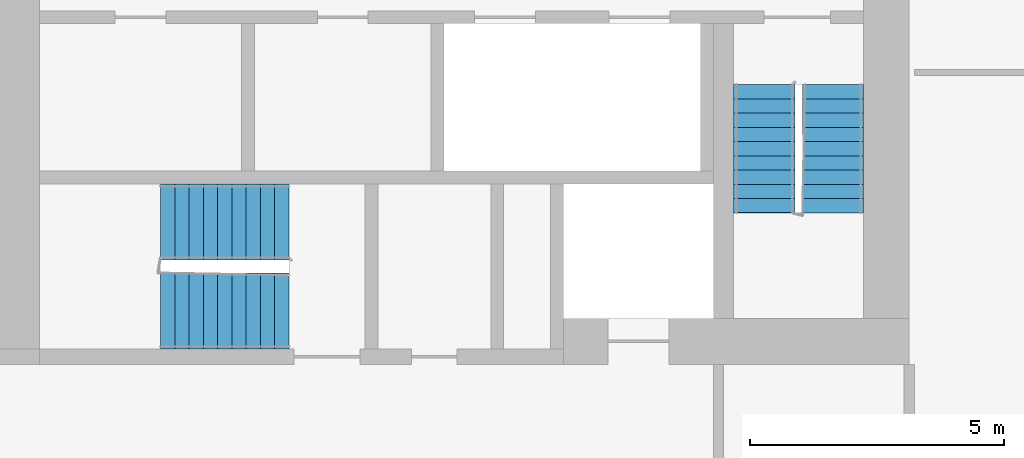
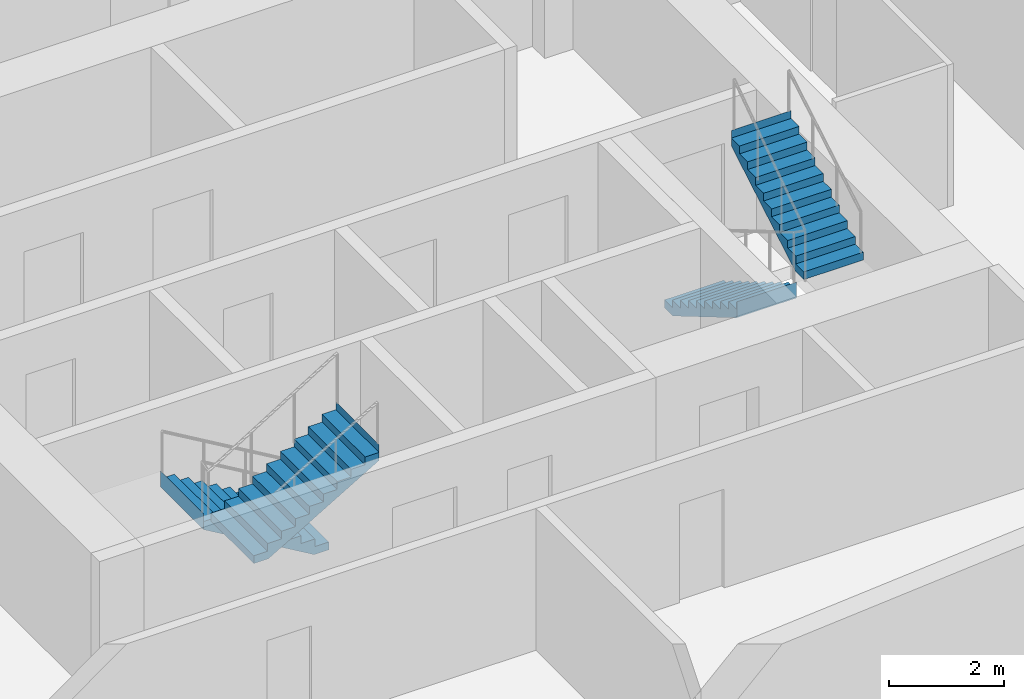
# One storey, part 9 of 12: 4 stair flights, 2 elements without a shape of their own.
"""IFC4 building model written with IfcOpenShell, lengths in metres."""

from ifc_helpers import new_model, si_unit, direction, frame, origin, place, context, subcontext, project, spatial, faceted_brep, material, type_object, element, aggregate, save


model = new_model("IFC4")

# Units and contexts
model_context = context("Model", 3, precision=1e-05, world=origin(), true_north=direction((0.0, 1.0)))
body_context = subcontext(model_context, "Body", "Model", "MODEL_VIEW")
ifc_project = project(units=[si_unit("LENGTHUNIT", "METRE"), si_unit("AREAUNIT", "SQUARE_METRE"), si_unit("VOLUMEUNIT", "CUBIC_METRE"), si_unit("PLANEANGLEUNIT", "RADIAN"), si_unit("MASSUNIT", "GRAM", prefix="KILO")], contexts=[model_context])

# Site, building, storey
site_placement = place(None, origin())
site = spatial("IfcSite", under=ifc_project, at=site_placement, CompositionType="ELEMENT")
building_placement = place(site_placement, origin())
building = spatial("IfcBuilding", under=site, at=building_placement, Name="Kajstack Hotel Tower", CompositionType="ELEMENT")
storey_placement = place(building_placement, frame((0.0, 0.0, 193.300048828125)))
storey = spatial("IfcBuildingStorey", under=building, at=storey_placement, Name="L46", CompositionType="ELEMENT", Elevation=193.300048828125)

# Stair, stair flights
ifc_material = material(Name="Concrete C40/50", Category="concrete")
stair_type_1 = type_object("IfcStairType", Name="Exit stair 1200", PredefinedType="HALF_TURN_STAIR", material=ifc_material)
stair_1_placement = place(storey_placement, origin())
stair_1 = element("IfcStair", 1, at=stair_1_placement, inside=storey, type_object=stair_type_1, Name="L46 stair W2", PredefinedType="HALF_TURN_STAIR")
stair_flight_type_1 = type_object("IfcStairFlightType", Name="Exit stair flight 1200", PredefinedType="STRAIGHT", material=ifc_material)
stair_flight_1_placement = place(storey_placement, frame((-16.35009765625, -10.0, 0.0), z_axis=(0.0, 0.0, 1.0), x_axis=(0.0, -1.0, 0.0)))
stair_flight_1 = element("IfcStairFlight", 2, at=stair_flight_1_placement, type_object=stair_flight_type_1, Name="W2 flight 1", NumberOfRisers=10, NumberOfTreads=9, PredefinedType="STRAIGHT", RiserHeight=0.165, TreadLength=0.28, context=body_context, shape_type="Brep", body=[
    faceted_brep([(0.295654296875, -0.60009765625, 0.0), (2.5205078125, -0.60009765625, 1.31103515625), (2.5205078125, -0.60009765625, 1.64990234375), (2.52001953125, -0.60009765625, 1.64990234375), (2.52001953125, -0.60009765625, 1.485107421875), (2.239990234375, -0.60009765625, 1.485107421875), (2.239990234375, -0.60009765625, 1.320068359375), (1.9599609375, -0.60009765625, 1.320068359375), (1.9599609375, -0.60009765625, 1.155029296875), (1.679931640625, -0.60009765625, 1.155029296875), (1.679931640625, -0.60009765625, 0.989990234375), (1.39990234375, -0.60009765625, 0.989990234375), (1.39990234375, -0.60009765625, 0.824951171875), (1.1201171875, -0.60009765625, 0.824951171875), (1.1201171875, -0.60009765625, 0.659912109375), (0.840087890625, -0.60009765625, 0.659912109375), (0.840087890625, -0.60009765625, 0.4951171875), (0.56005859375, -0.60009765625, 0.4951171875), (0.56005859375, -0.60009765625, 0.330078125), (0.280029296875, -0.60009765625, 0.330078125), (0.280029296875, -0.60009765625, 0.1650390625), (-0.00048828125, -0.60009765625, 0.1650390625), (-0.00048828125, -0.60009765625, 0.0), (-0.00048828125, 0.60009765625, 0.0), (-0.00048828125, 0.60009765625, 0.1650390625), (0.280029296875, 0.60009765625, 0.1650390625), (0.280029296875, 0.60009765625, 0.330078125), (0.56005859375, 0.60009765625, 0.330078125), (0.56005859375, 0.60009765625, 0.4951171875), (0.840087890625, 0.60009765625, 0.4951171875), (0.840087890625, 0.60009765625, 0.659912109375), (1.1201171875, 0.60009765625, 0.659912109375), (1.1201171875, 0.60009765625, 0.824951171875), (1.39990234375, 0.60009765625, 0.824951171875), (1.39990234375, 0.60009765625, 0.989990234375), (1.679931640625, 0.60009765625, 0.989990234375), (1.679931640625, 0.60009765625, 1.155029296875), (1.9599609375, 0.60009765625, 1.155029296875), (1.9599609375, 0.60009765625, 1.320068359375), (2.239990234375, 0.60009765625, 1.320068359375), (2.239990234375, 0.60009765625, 1.485107421875), (2.52001953125, 0.60009765625, 1.485107421875), (2.52001953125, 0.60009765625, 1.64990234375), (2.5205078125, 0.60009765625, 1.64990234375), (2.5205078125, 0.60009765625, 1.31103515625), (0.295654296875, 0.60009765625, 0.0), (-0.00048828125, -0.300048828125, 0.1650390625), (-0.00048828125, 0.0, 0.1650390625), (-0.00048828125, 0.300048828125, 0.1650390625), (-0.00048828125, 0.300048828125, 0.0), (-0.00048828125, 0.0, 0.0), (-0.00048828125, -0.300048828125, 0.0), (0.280029296875, -0.300048828125, 0.1650390625), (0.280029296875, 0.0, 0.1650390625), (0.280029296875, 0.300048828125, 0.1650390625), (0.280029296875, -0.300048828125, 0.330078125), (0.280029296875, 0.0, 0.330078125), (0.280029296875, 0.300048828125, 0.330078125), (0.56005859375, -0.300048828125, 0.330078125), (0.56005859375, 0.0, 0.330078125), (0.56005859375, 0.300048828125, 0.330078125), (0.56005859375, -0.300048828125, 0.4951171875), (0.56005859375, 0.0, 0.4951171875), (0.56005859375, 0.300048828125, 0.4951171875), (0.840087890625, -0.300048828125, 0.4951171875), (0.840087890625, 0.0, 0.4951171875), (0.840087890625, 0.300048828125, 0.4951171875), (0.840087890625, -0.300048828125, 0.659912109375), (0.840087890625, 0.0, 0.659912109375), (0.840087890625, 0.300048828125, 0.659912109375), (1.1201171875, -0.300048828125, 0.659912109375), (1.1201171875, 0.0, 0.659912109375), (1.1201171875, 0.300048828125, 0.659912109375), (1.1201171875, -0.300048828125, 0.824951171875), (1.1201171875, 0.0, 0.824951171875), (1.1201171875, 0.300048828125, 0.824951171875), (1.39990234375, -0.300048828125, 0.824951171875), (1.39990234375, 0.0, 0.824951171875), (1.39990234375, 0.300048828125, 0.824951171875), (1.39990234375, -0.300048828125, 0.989990234375), (1.39990234375, 0.0, 0.989990234375), (1.39990234375, 0.300048828125, 0.989990234375), (1.679931640625, -0.300048828125, 0.989990234375), (1.679931640625, 0.0, 0.989990234375), (1.679931640625, 0.300048828125, 0.989990234375), (1.679931640625, -0.300048828125, 1.155029296875), (1.679931640625, 0.0, 1.155029296875), (1.679931640625, 0.300048828125, 1.155029296875), (1.9599609375, -0.300048828125, 1.155029296875), (1.9599609375, 0.0, 1.155029296875), (1.9599609375, 0.300048828125, 1.155029296875), (1.9599609375, -0.300048828125, 1.320068359375), (1.9599609375, 0.0, 1.320068359375), (1.9599609375, 0.300048828125, 1.320068359375), (2.239990234375, -0.300048828125, 1.320068359375), (2.239990234375, 0.0, 1.320068359375), (2.239990234375, 0.300048828125, 1.320068359375), (2.239990234375, -0.300048828125, 1.485107421875), (2.239990234375, 0.0, 1.485107421875), (2.239990234375, 0.300048828125, 1.485107421875), (2.52001953125, -0.300048828125, 1.485107421875), (2.52001953125, 0.0, 1.485107421875), (2.52001953125, 0.300048828125, 1.485107421875), (2.52001953125, -0.300048828125, 1.64990234375), (2.52001953125, 0.0, 1.64990234375), (2.52001953125, 0.300048828125, 1.64990234375), (2.5205078125, -0.300048828125, 1.64990234375), (2.5205078125, 0.0, 1.64990234375), (2.5205078125, 0.300048828125, 1.64990234375), (2.5205078125, -0.300048828125, 1.31103515625), (2.5205078125, 0.0, 1.31103515625), (2.5205078125, 0.300048828125, 1.31103515625), (0.295654296875, -0.300048828125, 0.0), (0.295654296875, 0.0, 0.0), (0.295654296875, 0.300048828125, 0.0)], [[[0, 1, 2, 3, 4, 5, 6, 7, 8, 9, 10, 11, 12, 13, 14, 15, 16, 17, 18, 19, 20, 21, 22]], [[23, 24, 25, 26, 27, 28, 29, 30, 31, 32, 33, 34, 35, 36, 37, 38, 39, 40, 41, 42, 43, 44, 45]], [[21, 46, 47, 48, 24, 23, 49, 50, 51, 22]], [[20, 52, 53, 54, 25, 24, 48, 47, 46, 21]], [[19, 55, 56, 57, 26, 25, 54, 53, 52, 20]], [[18, 58, 59, 60, 27, 26, 57, 56, 55, 19]], [[17, 61, 62, 63, 28, 27, 60, 59, 58, 18]], [[16, 64, 65, 66, 29, 28, 63, 62, 61, 17]], [[15, 67, 68, 69, 30, 29, 66, 65, 64, 16]], [[14, 70, 71, 72, 31, 30, 69, 68, 67, 15]], [[13, 73, 74, 75, 32, 31, 72, 71, 70, 14]], [[12, 76, 77, 78, 33, 32, 75, 74, 73, 13]], [[11, 79, 80, 81, 34, 33, 78, 77, 76, 12]], [[10, 82, 83, 84, 35, 34, 81, 80, 79, 11]], [[9, 85, 86, 87, 36, 35, 84, 83, 82, 10]], [[8, 88, 89, 90, 37, 36, 87, 86, 85, 9]], [[7, 91, 92, 93, 38, 37, 90, 89, 88, 8]], [[6, 94, 95, 96, 39, 38, 93, 92, 91, 7]], [[5, 97, 98, 99, 40, 39, 96, 95, 94, 6]], [[4, 100, 101, 102, 41, 40, 99, 98, 97, 5]], [[3, 103, 104, 105, 42, 41, 102, 101, 100, 4]], [[2, 106, 107, 108, 43, 42, 105, 104, 103, 3]], [[1, 109, 110, 111, 44, 43, 108, 107, 106, 2]], [[0, 112, 113, 114, 45, 44, 111, 110, 109, 1]], [[22, 51, 50, 49, 23, 45, 114, 113, 112, 0]]]),
])
stair_flight_2_placement = place(storey_placement, frame((-15.0, -12.52001953125, 1.64990234375), z_axis=(0.0, 0.0, 1.0), x_axis=(0.0, 1.0, 0.0)))
stair_flight_2 = element("IfcStairFlight", 3, at=stair_flight_2_placement, type_object=stair_flight_type_1, Name="W2 flight 2", NumberOfRisers=10, NumberOfTreads=9, PredefinedType="STRAIGHT", RiserHeight=0.165, TreadLength=0.28, context=body_context, shape_type="Brep", body=[
    faceted_brep([(0.295654296875, -0.60009765625, 0.0), (2.5205078125, -0.60009765625, 1.31103515625), (2.5205078125, -0.60009765625, 1.64990234375), (2.52001953125, -0.60009765625, 1.64990234375), (2.52001953125, -0.60009765625, 1.485107421875), (2.239990234375, -0.60009765625, 1.485107421875), (2.239990234375, -0.60009765625, 1.320068359375), (1.9599609375, -0.60009765625, 1.320068359375), (1.9599609375, -0.60009765625, 1.155029296875), (1.679931640625, -0.60009765625, 1.155029296875), (1.679931640625, -0.60009765625, 0.989990234375), (1.39990234375, -0.60009765625, 0.989990234375), (1.39990234375, -0.60009765625, 0.824951171875), (1.1201171875, -0.60009765625, 0.824951171875), (1.1201171875, -0.60009765625, 0.659912109375), (0.840087890625, -0.60009765625, 0.659912109375), (0.840087890625, -0.60009765625, 0.4951171875), (0.56005859375, -0.60009765625, 0.4951171875), (0.56005859375, -0.60009765625, 0.330078125), (0.280029296875, -0.60009765625, 0.330078125), (0.280029296875, -0.60009765625, 0.1650390625), (-0.00048828125, -0.60009765625, 0.1650390625), (-0.00048828125, -0.60009765625, 0.0), (-0.00048828125, 0.60009765625, 0.0), (-0.00048828125, 0.60009765625, 0.1650390625), (0.280029296875, 0.60009765625, 0.1650390625), (0.280029296875, 0.60009765625, 0.330078125), (0.56005859375, 0.60009765625, 0.330078125), (0.56005859375, 0.60009765625, 0.4951171875), (0.840087890625, 0.60009765625, 0.4951171875), (0.840087890625, 0.60009765625, 0.659912109375), (1.1201171875, 0.60009765625, 0.659912109375), (1.1201171875, 0.60009765625, 0.824951171875), (1.39990234375, 0.60009765625, 0.824951171875), (1.39990234375, 0.60009765625, 0.989990234375), (1.679931640625, 0.60009765625, 0.989990234375), (1.679931640625, 0.60009765625, 1.155029296875), (1.9599609375, 0.60009765625, 1.155029296875), (1.9599609375, 0.60009765625, 1.320068359375), (2.239990234375, 0.60009765625, 1.320068359375), (2.239990234375, 0.60009765625, 1.485107421875), (2.52001953125, 0.60009765625, 1.485107421875), (2.52001953125, 0.60009765625, 1.64990234375), (2.5205078125, 0.60009765625, 1.64990234375), (2.5205078125, 0.60009765625, 1.31103515625), (0.295654296875, 0.60009765625, 0.0), (-0.00048828125, -0.300048828125, 0.1650390625), (-0.00048828125, 0.0, 0.1650390625), (-0.00048828125, 0.300048828125, 0.1650390625), (-0.00048828125, 0.300048828125, 0.0), (-0.00048828125, 0.0, 0.0), (-0.00048828125, -0.300048828125, 0.0), (0.280029296875, -0.300048828125, 0.1650390625), (0.280029296875, 0.0, 0.1650390625), (0.280029296875, 0.300048828125, 0.1650390625), (0.280029296875, -0.300048828125, 0.330078125), (0.280029296875, 0.0, 0.330078125), (0.280029296875, 0.300048828125, 0.330078125), (0.56005859375, -0.300048828125, 0.330078125), (0.56005859375, 0.0, 0.330078125), (0.56005859375, 0.300048828125, 0.330078125), (0.56005859375, -0.300048828125, 0.4951171875), (0.56005859375, 0.0, 0.4951171875), (0.56005859375, 0.300048828125, 0.4951171875), (0.840087890625, -0.300048828125, 0.4951171875), (0.840087890625, 0.0, 0.4951171875), (0.840087890625, 0.300048828125, 0.4951171875), (0.840087890625, -0.300048828125, 0.659912109375), (0.840087890625, 0.0, 0.659912109375), (0.840087890625, 0.300048828125, 0.659912109375), (1.1201171875, -0.300048828125, 0.659912109375), (1.1201171875, 0.0, 0.659912109375), (1.1201171875, 0.300048828125, 0.659912109375), (1.1201171875, -0.300048828125, 0.824951171875), (1.1201171875, 0.0, 0.824951171875), (1.1201171875, 0.300048828125, 0.824951171875), (1.39990234375, -0.300048828125, 0.824951171875), (1.39990234375, 0.0, 0.824951171875), (1.39990234375, 0.300048828125, 0.824951171875), (1.39990234375, -0.300048828125, 0.989990234375), (1.39990234375, 0.0, 0.989990234375), (1.39990234375, 0.300048828125, 0.989990234375), (1.679931640625, -0.300048828125, 0.989990234375), (1.679931640625, 0.0, 0.989990234375), (1.679931640625, 0.300048828125, 0.989990234375), (1.679931640625, -0.300048828125, 1.155029296875), (1.679931640625, 0.0, 1.155029296875), (1.679931640625, 0.300048828125, 1.155029296875), (1.9599609375, -0.300048828125, 1.155029296875), (1.9599609375, 0.0, 1.155029296875), (1.9599609375, 0.300048828125, 1.155029296875), (1.9599609375, -0.300048828125, 1.320068359375), (1.9599609375, 0.0, 1.320068359375), (1.9599609375, 0.300048828125, 1.320068359375), (2.239990234375, -0.300048828125, 1.320068359375), (2.239990234375, 0.0, 1.320068359375), (2.239990234375, 0.300048828125, 1.320068359375), (2.239990234375, -0.300048828125, 1.485107421875), (2.239990234375, 0.0, 1.485107421875), (2.239990234375, 0.300048828125, 1.485107421875), (2.52001953125, -0.300048828125, 1.485107421875), (2.52001953125, 0.0, 1.485107421875), (2.52001953125, 0.300048828125, 1.485107421875), (2.52001953125, -0.300048828125, 1.64990234375), (2.52001953125, 0.0, 1.64990234375), (2.52001953125, 0.300048828125, 1.64990234375), (2.5205078125, -0.300048828125, 1.64990234375), (2.5205078125, 0.0, 1.64990234375), (2.5205078125, 0.300048828125, 1.64990234375), (2.5205078125, -0.300048828125, 1.31103515625), (2.5205078125, 0.0, 1.31103515625), (2.5205078125, 0.300048828125, 1.31103515625), (0.295654296875, -0.300048828125, 0.0), (0.295654296875, 0.0, 0.0), (0.295654296875, 0.300048828125, 0.0)], [[[0, 1, 2, 3, 4, 5, 6, 7, 8, 9, 10, 11, 12, 13, 14, 15, 16, 17, 18, 19, 20, 21, 22]], [[23, 24, 25, 26, 27, 28, 29, 30, 31, 32, 33, 34, 35, 36, 37, 38, 39, 40, 41, 42, 43, 44, 45]], [[21, 46, 47, 48, 24, 23, 49, 50, 51, 22]], [[20, 52, 53, 54, 25, 24, 48, 47, 46, 21]], [[19, 55, 56, 57, 26, 25, 54, 53, 52, 20]], [[18, 58, 59, 60, 27, 26, 57, 56, 55, 19]], [[17, 61, 62, 63, 28, 27, 60, 59, 58, 18]], [[16, 64, 65, 66, 29, 28, 63, 62, 61, 17]], [[15, 67, 68, 69, 30, 29, 66, 65, 64, 16]], [[14, 70, 71, 72, 31, 30, 69, 68, 67, 15]], [[13, 73, 74, 75, 32, 31, 72, 71, 70, 14]], [[12, 76, 77, 78, 33, 32, 75, 74, 73, 13]], [[11, 79, 80, 81, 34, 33, 78, 77, 76, 12]], [[10, 82, 83, 84, 35, 34, 81, 80, 79, 11]], [[9, 85, 86, 87, 36, 35, 84, 83, 82, 10]], [[8, 88, 89, 90, 37, 36, 87, 86, 85, 9]], [[7, 91, 92, 93, 38, 37, 90, 89, 88, 8]], [[6, 94, 95, 96, 39, 38, 93, 92, 91, 7]], [[5, 97, 98, 99, 40, 39, 96, 95, 94, 6]], [[4, 100, 101, 102, 41, 40, 99, 98, 97, 5]], [[3, 103, 104, 105, 42, 41, 102, 101, 100, 4]], [[2, 106, 107, 108, 43, 42, 105, 104, 103, 3]], [[1, 109, 110, 111, 44, 43, 108, 107, 106, 2]], [[0, 112, 113, 114, 45, 44, 111, 110, 109, 1]], [[22, 51, 50, 49, 23, 45, 114, 113, 112, 0]]]),
])
aggregate(stair_1, [stair_flight_1, stair_flight_2])

stair_type_2 = type_object("IfcStairType", Name="Exit stair 1500", PredefinedType="HALF_TURN_STAIR", material=ifc_material)
stair_2_placement = place(storey_placement, origin())
stair_2 = element("IfcStair", 4, at=stair_2_placement, inside=storey, type_object=stair_type_2, Name="L46 stair W3", PredefinedType="HALF_TURN_STAIR")
stair_flight_type_2 = type_object("IfcStairFlightType", Name="Exit stair flight 1500", PredefinedType="STRAIGHT", material=ifc_material)
stair_flight_3_placement = place(storey_placement, frame((-25.699951171875, -12.699951171875, 0.0), z_axis=(0.0, 0.0, 1.0), x_axis=(-1.0, 0.0, 0.0)))
stair_flight_3 = element("IfcStairFlight", 5, at=stair_flight_3_placement, type_object=stair_flight_type_2, Name="W3 flight 1", NumberOfRisers=10, NumberOfTreads=9, PredefinedType="STRAIGHT", RiserHeight=0.165, TreadLength=0.28, context=body_context, shape_type="Brep", body=[
    faceted_brep([(0.295654296875, -0.75, 0.0), (2.5205078125, -0.75, 1.31103515625), (2.5205078125, -0.75, 1.64990234375), (2.52001953125, -0.75, 1.64990234375), (2.52001953125, -0.75, 1.485107421875), (2.239990234375, -0.75, 1.485107421875), (2.239990234375, -0.75, 1.320068359375), (1.9599609375, -0.75, 1.320068359375), (1.9599609375, -0.75, 1.155029296875), (1.679931640625, -0.75, 1.155029296875), (1.679931640625, -0.75, 0.989990234375), (1.39990234375, -0.75, 0.989990234375), (1.39990234375, -0.75, 0.824951171875), (1.1201171875, -0.75, 0.824951171875), (1.1201171875, -0.75, 0.659912109375), (0.840087890625, -0.75, 0.659912109375), (0.840087890625, -0.75, 0.4951171875), (0.56005859375, -0.75, 0.4951171875), (0.56005859375, -0.75, 0.330078125), (0.280029296875, -0.75, 0.330078125), (0.280029296875, -0.75, 0.1650390625), (-0.00048828125, -0.75, 0.1650390625), (-0.00048828125, -0.75, 0.0), (-0.00048828125, 0.75, 0.0), (-0.00048828125, 0.75, 0.1650390625), (0.280029296875, 0.75, 0.1650390625), (0.280029296875, 0.75, 0.330078125), (0.56005859375, 0.75, 0.330078125), (0.56005859375, 0.75, 0.4951171875), (0.840087890625, 0.75, 0.4951171875), (0.840087890625, 0.75, 0.659912109375), (1.1201171875, 0.75, 0.659912109375), (1.1201171875, 0.75, 0.824951171875), (1.39990234375, 0.75, 0.824951171875), (1.39990234375, 0.75, 0.989990234375), (1.679931640625, 0.75, 0.989990234375), (1.679931640625, 0.75, 1.155029296875), (1.9599609375, 0.75, 1.155029296875), (1.9599609375, 0.75, 1.320068359375), (2.239990234375, 0.75, 1.320068359375), (2.239990234375, 0.75, 1.485107421875), (2.52001953125, 0.75, 1.485107421875), (2.52001953125, 0.75, 1.64990234375), (2.5205078125, 0.75, 1.64990234375), (2.5205078125, 0.75, 1.31103515625), (0.295654296875, 0.75, 0.0), (-0.00048828125, -0.375, 0.1650390625), (-0.00048828125, 0.0, 0.1650390625), (-0.00048828125, 0.375, 0.1650390625), (-0.00048828125, 0.375, 0.0), (-0.00048828125, 0.0, 0.0), (-0.00048828125, -0.375, 0.0), (0.280029296875, -0.375, 0.1650390625), (0.280029296875, 0.0, 0.1650390625), (0.280029296875, 0.375, 0.1650390625), (0.280029296875, -0.375, 0.330078125), (0.280029296875, 0.0, 0.330078125), (0.280029296875, 0.375, 0.330078125), (0.56005859375, -0.375, 0.330078125), (0.56005859375, 0.0, 0.330078125), (0.56005859375, 0.375, 0.330078125), (0.56005859375, -0.375, 0.4951171875), (0.56005859375, 0.0, 0.4951171875), (0.56005859375, 0.375, 0.4951171875), (0.840087890625, -0.375, 0.4951171875), (0.840087890625, 0.0, 0.4951171875), (0.840087890625, 0.375, 0.4951171875), (0.840087890625, -0.375, 0.659912109375), (0.840087890625, 0.0, 0.659912109375), (0.840087890625, 0.375, 0.659912109375), (1.1201171875, -0.375, 0.659912109375), (1.1201171875, 0.0, 0.659912109375), (1.1201171875, 0.375, 0.659912109375), (1.1201171875, -0.375, 0.824951171875), (1.1201171875, 0.0, 0.824951171875), (1.1201171875, 0.375, 0.824951171875), (1.39990234375, -0.375, 0.824951171875), (1.39990234375, 0.0, 0.824951171875), (1.39990234375, 0.375, 0.824951171875), (1.39990234375, -0.375, 0.989990234375), (1.39990234375, 0.0, 0.989990234375), (1.39990234375, 0.375, 0.989990234375), (1.679931640625, -0.375, 0.989990234375), (1.679931640625, 0.0, 0.989990234375), (1.679931640625, 0.375, 0.989990234375), (1.679931640625, -0.375, 1.155029296875), (1.679931640625, 0.0, 1.155029296875), (1.679931640625, 0.375, 1.155029296875), (1.9599609375, -0.375, 1.155029296875), (1.9599609375, 0.0, 1.155029296875), (1.9599609375, 0.375, 1.155029296875), (1.9599609375, -0.375, 1.320068359375), (1.9599609375, 0.0, 1.320068359375), (1.9599609375, 0.375, 1.320068359375), (2.239990234375, -0.375, 1.320068359375), (2.239990234375, 0.0, 1.320068359375), (2.239990234375, 0.375, 1.320068359375), (2.239990234375, -0.375, 1.485107421875), (2.239990234375, 0.0, 1.485107421875), (2.239990234375, 0.375, 1.485107421875), (2.52001953125, -0.375, 1.485107421875), (2.52001953125, 0.0, 1.485107421875), (2.52001953125, 0.375, 1.485107421875), (2.52001953125, -0.375, 1.64990234375), (2.52001953125, 0.0, 1.64990234375), (2.52001953125, 0.375, 1.64990234375), (2.5205078125, -0.375, 1.64990234375), (2.5205078125, 0.0, 1.64990234375), (2.5205078125, 0.375, 1.64990234375), (2.5205078125, -0.375, 1.31103515625), (2.5205078125, 0.0, 1.31103515625), (2.5205078125, 0.375, 1.31103515625), (0.295654296875, -0.375, 0.0), (0.295654296875, 0.0, 0.0), (0.295654296875, 0.375, 0.0)], [[[0, 1, 2, 3, 4, 5, 6, 7, 8, 9, 10, 11, 12, 13, 14, 15, 16, 17, 18, 19, 20, 21, 22]], [[23, 24, 25, 26, 27, 28, 29, 30, 31, 32, 33, 34, 35, 36, 37, 38, 39, 40, 41, 42, 43, 44, 45]], [[21, 46, 47, 48, 24, 23, 49, 50, 51, 22]], [[20, 52, 53, 54, 25, 24, 48, 47, 46, 21]], [[19, 55, 56, 57, 26, 25, 54, 53, 52, 20]], [[18, 58, 59, 60, 27, 26, 57, 56, 55, 19]], [[17, 61, 62, 63, 28, 27, 60, 59, 58, 18]], [[16, 64, 65, 66, 29, 28, 63, 62, 61, 17]], [[15, 67, 68, 69, 30, 29, 66, 65, 64, 16]], [[14, 70, 71, 72, 31, 30, 69, 68, 67, 15]], [[13, 73, 74, 75, 32, 31, 72, 71, 70, 14]], [[12, 76, 77, 78, 33, 32, 75, 74, 73, 13]], [[11, 79, 80, 81, 34, 33, 78, 77, 76, 12]], [[10, 82, 83, 84, 35, 34, 81, 80, 79, 11]], [[9, 85, 86, 87, 36, 35, 84, 83, 82, 10]], [[8, 88, 89, 90, 37, 36, 87, 86, 85, 9]], [[7, 91, 92, 93, 38, 37, 90, 89, 88, 8]], [[6, 94, 95, 96, 39, 38, 93, 92, 91, 7]], [[5, 97, 98, 99, 40, 39, 96, 95, 94, 6]], [[4, 100, 101, 102, 41, 40, 99, 98, 97, 5]], [[3, 103, 104, 105, 42, 41, 102, 101, 100, 4]], [[2, 106, 107, 108, 43, 42, 105, 104, 103, 3]], [[1, 109, 110, 111, 44, 43, 108, 107, 106, 2]], [[0, 112, 113, 114, 45, 44, 111, 110, 109, 1]], [[22, 51, 50, 49, 23, 45, 114, 113, 112, 0]]]),
])
stair_flight_4_placement = place(storey_placement, frame((-28.219970703125, -14.449951171875, 1.64990234375), z_axis=(0.0, 0.0, 1.0), x_axis=(1.0, 0.0, 0.0)))
stair_flight_4 = element("IfcStairFlight", 6, at=stair_flight_4_placement, type_object=stair_flight_type_2, Name="W3 flight 2", NumberOfRisers=10, NumberOfTreads=9, PredefinedType="STRAIGHT", RiserHeight=0.165, TreadLength=0.28, context=body_context, shape_type="Brep", body=[
    faceted_brep([(0.295654296875, -0.75, 0.0), (2.5205078125, -0.75, 1.31103515625), (2.5205078125, -0.75, 1.64990234375), (2.52001953125, -0.75, 1.64990234375), (2.52001953125, -0.75, 1.485107421875), (2.239990234375, -0.75, 1.485107421875), (2.239990234375, -0.75, 1.320068359375), (1.9599609375, -0.75, 1.320068359375), (1.9599609375, -0.75, 1.155029296875), (1.679931640625, -0.75, 1.155029296875), (1.679931640625, -0.75, 0.989990234375), (1.39990234375, -0.75, 0.989990234375), (1.39990234375, -0.75, 0.824951171875), (1.1201171875, -0.75, 0.824951171875), (1.1201171875, -0.75, 0.659912109375), (0.840087890625, -0.75, 0.659912109375), (0.840087890625, -0.75, 0.4951171875), (0.56005859375, -0.75, 0.4951171875), (0.56005859375, -0.75, 0.330078125), (0.280029296875, -0.75, 0.330078125), (0.280029296875, -0.75, 0.1650390625), (-0.00048828125, -0.75, 0.1650390625), (-0.00048828125, -0.75, 0.0), (-0.00048828125, 0.75, 0.0), (-0.00048828125, 0.75, 0.1650390625), (0.280029296875, 0.75, 0.1650390625), (0.280029296875, 0.75, 0.330078125), (0.56005859375, 0.75, 0.330078125), (0.56005859375, 0.75, 0.4951171875), (0.840087890625, 0.75, 0.4951171875), (0.840087890625, 0.75, 0.659912109375), (1.1201171875, 0.75, 0.659912109375), (1.1201171875, 0.75, 0.824951171875), (1.39990234375, 0.75, 0.824951171875), (1.39990234375, 0.75, 0.989990234375), (1.679931640625, 0.75, 0.989990234375), (1.679931640625, 0.75, 1.155029296875), (1.9599609375, 0.75, 1.155029296875), (1.9599609375, 0.75, 1.320068359375), (2.239990234375, 0.75, 1.320068359375), (2.239990234375, 0.75, 1.485107421875), (2.52001953125, 0.75, 1.485107421875), (2.52001953125, 0.75, 1.64990234375), (2.5205078125, 0.75, 1.64990234375), (2.5205078125, 0.75, 1.31103515625), (0.295654296875, 0.75, 0.0), (-0.00048828125, -0.375, 0.1650390625), (-0.00048828125, 0.0, 0.1650390625), (-0.00048828125, 0.375, 0.1650390625), (-0.00048828125, 0.375, 0.0), (-0.00048828125, 0.0, 0.0), (-0.00048828125, -0.375, 0.0), (0.280029296875, -0.375, 0.1650390625), (0.280029296875, 0.0, 0.1650390625), (0.280029296875, 0.375, 0.1650390625), (0.280029296875, -0.375, 0.330078125), (0.280029296875, 0.0, 0.330078125), (0.280029296875, 0.375, 0.330078125), (0.56005859375, -0.375, 0.330078125), (0.56005859375, 0.0, 0.330078125), (0.56005859375, 0.375, 0.330078125), (0.56005859375, -0.375, 0.4951171875), (0.56005859375, 0.0, 0.4951171875), (0.56005859375, 0.375, 0.4951171875), (0.840087890625, -0.375, 0.4951171875), (0.840087890625, 0.0, 0.4951171875), (0.840087890625, 0.375, 0.4951171875), (0.840087890625, -0.375, 0.659912109375), (0.840087890625, 0.0, 0.659912109375), (0.840087890625, 0.375, 0.659912109375), (1.1201171875, -0.375, 0.659912109375), (1.1201171875, 0.0, 0.659912109375), (1.1201171875, 0.375, 0.659912109375), (1.1201171875, -0.375, 0.824951171875), (1.1201171875, 0.0, 0.824951171875), (1.1201171875, 0.375, 0.824951171875), (1.39990234375, -0.375, 0.824951171875), (1.39990234375, 0.0, 0.824951171875), (1.39990234375, 0.375, 0.824951171875), (1.39990234375, -0.375, 0.989990234375), (1.39990234375, 0.0, 0.989990234375), (1.39990234375, 0.375, 0.989990234375), (1.679931640625, -0.375, 0.989990234375), (1.679931640625, 0.0, 0.989990234375), (1.679931640625, 0.375, 0.989990234375), (1.679931640625, -0.375, 1.155029296875), (1.679931640625, 0.0, 1.155029296875), (1.679931640625, 0.375, 1.155029296875), (1.9599609375, -0.375, 1.155029296875), (1.9599609375, 0.0, 1.155029296875), (1.9599609375, 0.375, 1.155029296875), (1.9599609375, -0.375, 1.320068359375), (1.9599609375, 0.0, 1.320068359375), (1.9599609375, 0.375, 1.320068359375), (2.239990234375, -0.375, 1.320068359375), (2.239990234375, 0.0, 1.320068359375), (2.239990234375, 0.375, 1.320068359375), (2.239990234375, -0.375, 1.485107421875), (2.239990234375, 0.0, 1.485107421875), (2.239990234375, 0.375, 1.485107421875), (2.52001953125, -0.375, 1.485107421875), (2.52001953125, 0.0, 1.485107421875), (2.52001953125, 0.375, 1.485107421875), (2.52001953125, -0.375, 1.64990234375), (2.52001953125, 0.0, 1.64990234375), (2.52001953125, 0.375, 1.64990234375), (2.5205078125, -0.375, 1.64990234375), (2.5205078125, 0.0, 1.64990234375), (2.5205078125, 0.375, 1.64990234375), (2.5205078125, -0.375, 1.31103515625), (2.5205078125, 0.0, 1.31103515625), (2.5205078125, 0.375, 1.31103515625), (0.295654296875, -0.375, 0.0), (0.295654296875, 0.0, 0.0), (0.295654296875, 0.375, 0.0)], [[[0, 1, 2, 3, 4, 5, 6, 7, 8, 9, 10, 11, 12, 13, 14, 15, 16, 17, 18, 19, 20, 21, 22]], [[23, 24, 25, 26, 27, 28, 29, 30, 31, 32, 33, 34, 35, 36, 37, 38, 39, 40, 41, 42, 43, 44, 45]], [[21, 46, 47, 48, 24, 23, 49, 50, 51, 22]], [[20, 52, 53, 54, 25, 24, 48, 47, 46, 21]], [[19, 55, 56, 57, 26, 25, 54, 53, 52, 20]], [[18, 58, 59, 60, 27, 26, 57, 56, 55, 19]], [[17, 61, 62, 63, 28, 27, 60, 59, 58, 18]], [[16, 64, 65, 66, 29, 28, 63, 62, 61, 17]], [[15, 67, 68, 69, 30, 29, 66, 65, 64, 16]], [[14, 70, 71, 72, 31, 30, 69, 68, 67, 15]], [[13, 73, 74, 75, 32, 31, 72, 71, 70, 14]], [[12, 76, 77, 78, 33, 32, 75, 74, 73, 13]], [[11, 79, 80, 81, 34, 33, 78, 77, 76, 12]], [[10, 82, 83, 84, 35, 34, 81, 80, 79, 11]], [[9, 85, 86, 87, 36, 35, 84, 83, 82, 10]], [[8, 88, 89, 90, 37, 36, 87, 86, 85, 9]], [[7, 91, 92, 93, 38, 37, 90, 89, 88, 8]], [[6, 94, 95, 96, 39, 38, 93, 92, 91, 7]], [[5, 97, 98, 99, 40, 39, 96, 95, 94, 6]], [[4, 100, 101, 102, 41, 40, 99, 98, 97, 5]], [[3, 103, 104, 105, 42, 41, 102, 101, 100, 4]], [[2, 106, 107, 108, 43, 42, 105, 104, 103, 3]], [[1, 109, 110, 111, 44, 43, 108, 107, 106, 2]], [[0, 112, 113, 114, 45, 44, 111, 110, 109, 1]], [[22, 51, 50, 49, 23, 45, 114, 113, 112, 0]]]),
])
aggregate(stair_2, [stair_flight_3, stair_flight_4])

save(model, "model.ifc")
